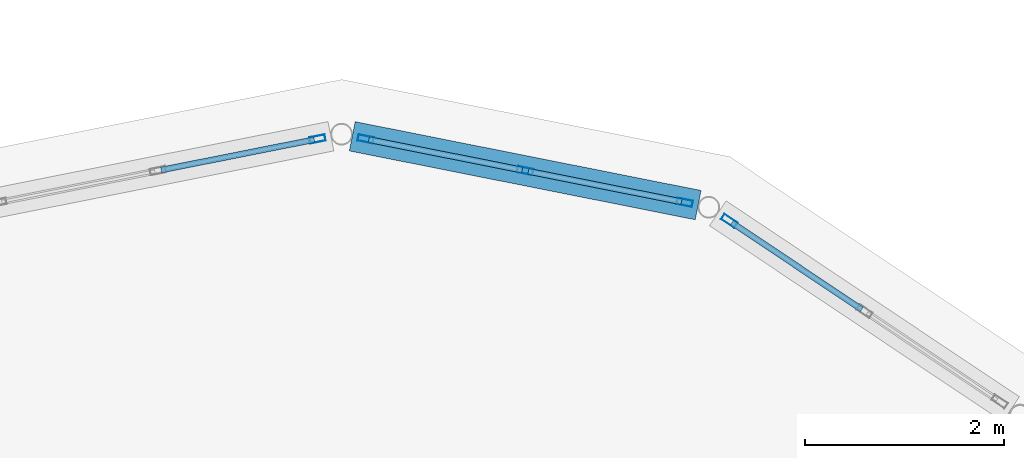
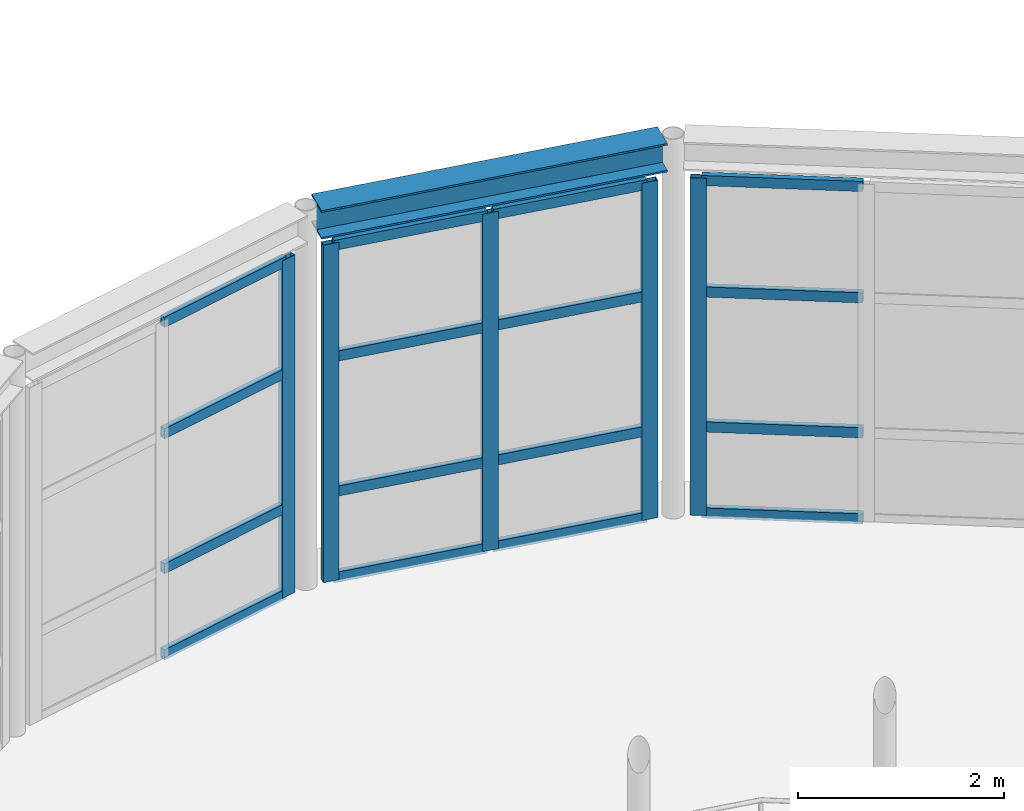
# One storey, part 29 of 80: 21 members, 1 beam, 3 elements without a shape of their own.
"""IFC4 building model written with IfcOpenShell, lengths in metres."""

import ifcopenshell
import ifcopenshell.guid

model = None  # the IFC model being written
_history = None  # IfcOwnerHistory: only IFC2X3 demands one
_inside = {}  # id of a spatial element -> (the spatial element, [elements in it])
_under = {}  # id of a project, library or spatial element -> (it, [spatial elements below it])
_declared = {}  # id of a project -> (the project, [libraries it declares])
_typed = {}  # id of a type object -> (the type object, [elements of that type])
_made_of = {}  # id of a material, layer set ... -> (it, [elements and type objects made of it])


def new_model(schema):
    """Start an empty IFC model of exactly this schema.

    Asked for "IFC4X3", IfcOpenShell would pick the latest addendum, in which some entities
    have other attributes; the version numbers below select the first issue.
    IFC2X3 requires an IfcOwnerHistory on every rooted entity: one is made here for all.
    """
    global model, _history
    if schema == "IFC4X3":
        model = ifcopenshell.file(schema_version=(4, 3, 0, 0))
    else:
        model = ifcopenshell.file(schema=schema)
    _inside.clear()
    _under.clear()
    _declared.clear()
    _typed.clear()
    _made_of.clear()
    _history = None
    if model.schema == "IFC2X3":
        org = make("IfcOrganization", Name="unknown")
        user = make(
            "IfcPersonAndOrganization",
            ThePerson=make("IfcPerson", FamilyName="unknown"),
            TheOrganization=org,
        )
        app = make(
            "IfcApplication",
            ApplicationDeveloper=org,
            Version="unknown",
            ApplicationFullName="unknown",
            ApplicationIdentifier="unknown",
        )
        _history = make(
            "IfcOwnerHistory",
            OwningUser=user,
            OwningApplication=app,
            ChangeAction="ADDED",
            CreationDate=0,
        )
    return model


def make(cls, **values):
    """One entity of the class cls with the attributes given. An attribute that is None is left unset."""
    return model.create_entity(
        cls, **{name: value for name, value in values.items() if value is not None}
    )


def rooted(cls, **values):
    """An entity with a GlobalId (a new one), such as an element, a storey or a relation."""
    return make(cls, GlobalId=ifcopenshell.guid.new(), OwnerHistory=_history, **values)


def si_unit(unit_type, name, prefix=None):
    """IfcSIUnit, for example si_unit("LENGTHUNIT", "METRE", prefix="MILLI")."""
    return make("IfcSIUnit", UnitType=unit_type, Prefix=prefix, Name=name)


def assignment(units):
    """IfcUnitAssignment: the units of a project."""
    return None if units is None else make("IfcUnitAssignment", Units=units)


def point(xyz):
    """IfcCartesianPoint."""
    return None if xyz is None else make("IfcCartesianPoint", Coordinates=xyz)


def direction(xyz):
    """IfcDirection."""
    return None if xyz is None else make("IfcDirection", DirectionRatios=xyz)


def frame(location, z_axis=None, x_axis=None):
    """IfcAxis2Placement3D, a coordinate frame: its origin and axes. An axis left out is left unset."""
    return make(
        "IfcAxis2Placement3D",
        Location=point(location),
        Axis=direction(z_axis),
        RefDirection=direction(x_axis),
    )


def frame_2d(location, x_axis=None):
    """IfcAxis2Placement2D, a coordinate frame in the plane: its origin and x axis."""
    return make(
        "IfcAxis2Placement2D", Location=point(location), RefDirection=direction(x_axis)
    )


def origin():
    """The frame at (0, 0, 0) with its axes left unset."""
    return frame((0.0, 0.0, 0.0))


def origin_2d():
    """The frame at (0, 0) in the plane with its x axis left unset."""
    return frame_2d((0.0, 0.0))


def place(relative_to, where):
    """IfcLocalPlacement: puts the frame where relative to a parent placement (None: the world)."""
    return make(
        "IfcLocalPlacement", PlacementRelTo=relative_to, RelativePlacement=where
    )


def context(
    kind, dimensions, precision=None, world=None, true_north=None, identifier=None
):
    """IfcGeometricRepresentationContext, for example the 3D "Model" context."""
    return make(
        "IfcGeometricRepresentationContext",
        ContextIdentifier=identifier,
        ContextType=kind,
        CoordinateSpaceDimension=dimensions,
        Precision=precision,
        WorldCoordinateSystem=world,
        TrueNorth=true_north,
    )


def subcontext(parent, identifier, kind, view, scale=None):
    """IfcGeometricRepresentationSubContext, for example "Body" below "Model"."""
    return make(
        "IfcGeometricRepresentationSubContext",
        ContextIdentifier=identifier,
        ContextType=kind,
        ParentContext=parent,
        TargetScale=scale,
        TargetView=view,
    )


def project(units=None, contexts=None):
    """IfcProject with its units and contexts."""
    return rooted(
        "IfcProject",
        Name="project",
        RepresentationContexts=contexts,
        UnitsInContext=assignment(units),
    )


def spatial(cls, under=None, at=None, **own):
    """A site, building, storey or space (cls), placed at a placement, below another one or the project."""
    s = rooted(cls, ObjectPlacement=at, **own)
    if under is not None:
        _under.setdefault(under.id(), (under, []))[1].append(s)
    return s


def profile(cls, at=None, kind="AREA", **sizes):
    """A parametric profile (cls). Its sizes go by their IFC names, for example OverallWidth=200.0."""
    return make(cls, ProfileType=kind, Position=at, **sizes)


def hollow_rectangle(**sizes):
    """IfcRectangleHollowProfileDef."""
    return profile("IfcRectangleHollowProfileDef", **sizes)


def i_section(**sizes):
    """IfcIShapeProfileDef."""
    return profile("IfcIShapeProfileDef", **sizes)


def extrude(swept, where, along, depth):
    """IfcExtrudedAreaSolid: the profile swept, set in the frame where, extruded along a direction by depth."""
    return make(
        "IfcExtrudedAreaSolid",
        SweptArea=swept,
        Position=where,
        ExtrudedDirection=direction(along),
        Depth=depth,
    )


def shape(context_of_items, identifier, shape_type, items):
    """IfcShapeRepresentation: the items that make up one representation, for example the "Body"."""
    return make(
        "IfcShapeRepresentation",
        ContextOfItems=context_of_items,
        RepresentationIdentifier=identifier,
        RepresentationType=shape_type,
        Items=items,
    )


def material(Name=None, Category=None):
    """IfcMaterial."""
    return make("IfcMaterial", Name=Name, Category=Category)


def layer(
    of_material, thickness, ventilated=None, Name=None, Category=None, Priority=None
):
    """IfcMaterialLayer: one layer of a wall or slab, of a material (None: an air gap)."""
    return make(
        "IfcMaterialLayer",
        Material=of_material,
        LayerThickness=thickness,
        IsVentilated=ventilated,
        Name=Name,
        Category=Category,
        Priority=Priority,
    )


def layer_set(layers, Name=None):
    """IfcMaterialLayerSet."""
    return make("IfcMaterialLayerSet", MaterialLayers=layers, LayerSetName=Name)


def material_profile(
    of_material, cross_section, Name=None, Category=None, Priority=None
):
    """IfcMaterialProfile: a cross section and its material."""
    return make(
        "IfcMaterialProfile",
        Name=Name,
        Material=of_material,
        Profile=cross_section,
        Priority=Priority,
        Category=Category,
    )


def profile_set(profiles, Name=None, composite=None):
    """IfcMaterialProfileSet."""
    return make(
        "IfcMaterialProfileSet",
        Name=Name,
        MaterialProfiles=profiles,
        CompositeProfile=composite,
    )


def made_of(thing, what):
    """Note that an element or type object is made of a material, layer set ...; save() writes the relation."""
    if what is not None:
        _made_of.setdefault(what.id(), (what, []))[1].append(thing)
    return thing


def type_object(cls, material=None, **own):
    """A type object (cls), such as IfcWallType, which elements share."""
    return made_of(rooted(cls, **own), material)


def element(
    cls,
    number,
    at=None,
    inside=None,
    cuts=None,
    type_object=None,
    material=None,
    context=None,
    identifier="Body",
    shape_type=None,
    held_by="IfcProductDefinitionShape",
    body=None,
    shapes=None,
    **own,
):
    """One element of the class cls, such as IfcWall. Its Tag is "e" and its number.

    at: its placement. inside: the storey or other place that contains it. cuts: it is an
    opening in that element (IfcRelVoidsElement). A single representation is given by context,
    identifier, shape_type and body (its items); several are given by shapes. held_by: the class
    of the entity that holds the representations. save() writes the other relations.
    """
    e = rooted(cls, Tag="e%d" % number, ObjectPlacement=at, **own)
    if body is not None:
        shapes = [shape(context, identifier, shape_type, body)]
    if shapes is not None:
        e.Representation = make(held_by, Representations=shapes)
    if inside is not None:
        _inside.setdefault(inside.id(), (inside, []))[1].append(e)
    if cuts is not None:
        rooted(
            "IfcRelVoidsElement", RelatingBuildingElement=cuts, RelatedOpeningElement=e
        )
    if type_object is not None:
        _typed.setdefault(type_object.id(), (type_object, []))[1].append(e)
    return made_of(e, material)


def aggregate(whole, parts):
    """IfcRelAggregates: a whole, such as a stair, and the parts it consists of."""
    return rooted("IfcRelAggregates", RelatingObject=whole, RelatedObjects=parts)


def save(model, path):
    """Write the relations noted so far, then the file.

    IfcRelAggregates (storeys below a building ...), IfcRelContainedInSpatialStructure (elements
    in a storey), IfcRelDefinesByType, IfcRelAssociatesMaterial and IfcRelDeclares: one each for
    every whole, place, type object, material and project.
    """
    for whole, parts in _under.values():
        aggregate(whole, parts)
    for where, things in _inside.values():
        rooted(
            "IfcRelContainedInSpatialStructure",
            RelatedElements=things,
            RelatingStructure=where,
        )
    for kind, things in _typed.values():
        rooted("IfcRelDefinesByType", RelatedObjects=things, RelatingType=kind)
    for what, things in _made_of.values():
        rooted("IfcRelAssociatesMaterial", RelatedObjects=things, RelatingMaterial=what)
    for by, libraries in _declared.values():
        rooted("IfcRelDeclares", RelatingContext=by, RelatedDefinitions=libraries)
    model.write(path)


model = new_model("IFC4")

# Units and contexts
model_context = context("Model", 3, precision=1e-05, world=origin(), true_north=direction((0.0, 1.0)))
body_context = subcontext(model_context, "Body", "Model", "MODEL_VIEW")
ifc_project = project(units=[si_unit("LENGTHUNIT", "METRE"), si_unit("AREAUNIT", "SQUARE_METRE"), si_unit("VOLUMEUNIT", "CUBIC_METRE"), si_unit("PLANEANGLEUNIT", "RADIAN"), si_unit("MASSUNIT", "GRAM", prefix="KILO")], contexts=[model_context])

# Site, building, storey
site_placement = place(None, origin())
site = spatial("IfcSite", under=ifc_project, at=site_placement, CompositionType="ELEMENT")
building_placement = place(site_placement, origin())
building = spatial("IfcBuilding", under=site, at=building_placement, Name="Kharisveld Research Institute", CompositionType="ELEMENT")
storey_placement = place(building_placement, frame((0.0, 0.0, 5.10009765625)))
storey = spatial("IfcBuildingStorey", under=building, at=storey_placement, Name="L01", CompositionType="ELEMENT", Elevation=5.10009765625)

# Beam
ifc_material_1 = material(Name="Steel S355JR", Category="steel")
ifc_material_profile_1 = material_profile(ifc_material_1, i_section(OverallWidth=0.300048828125, OverallDepth=0.340087890625, WebThickness=0.011962890625, FlangeThickness=0.021484375, at=origin_2d()))
ifc_profile_set_1 = profile_set([ifc_material_profile_1], Name="Steel S355JR")
beam_type = type_object("IfcBeamType", Name="BM_ST_HEA300", PredefinedType="BEAM", material=ifc_profile_set_1)
beam_placement = place(storey_placement, frame((63.08544921875, 59.73681640625, 4.329833984375), z_axis=(-0.980781401852, 0.195109819798, 0.0), x_axis=(-0.195109819798, -0.980781401852, 0.0)))
element("IfcBeam", 1, at=beam_placement, inside=storey, type_object=beam_type, Name="BM:V6:L01:RING03", PredefinedType="BEAM", context=body_context, shape_type="SweptSolid", body=[
    extrude(i_section(OverallWidth=0.300048828125, OverallDepth=0.340087890625, WebThickness=0.011962890625, FlangeThickness=0.021484375, at=origin_2d()), origin(), (0.0, 0.0, 1.0), 3.546142578125),
])

# Curtain wall, member
ifc_material_2 = material(Name="Thermally Broken Aluminium Curtain Wall", Category="aluminium")
ifc_layer_1 = layer(ifc_material_2, 0.159912109375)
ifc_layer_set_1 = layer_set([ifc_layer_1], Name="CW_SYS_03")
curtain_wall_type_1 = type_object("IfcCurtainWallType", Name="CW_SYS_03", PredefinedType="NOTDEFINED", material=ifc_layer_set_1)
curtain_wall_1_placement = place(storey_placement, origin())
curtain_wall_1 = element("IfcCurtainWall", 2, at=curtain_wall_1_placement, inside=storey, type_object=curtain_wall_type_1, Name="CW:V6:L01:CHORD02", PredefinedType="NOTDEFINED")
ifc_material_3 = material(Name="Anodised Aluminium AW-6063-T6", Category="aluminium")
ifc_material_profile_2 = material_profile(ifc_material_3, hollow_rectangle(XDim=0.06494140625, YDim=0.159912109375, WallThickness=0.00390625, at=origin_2d()))
ifc_profile_set_2 = profile_set([ifc_material_profile_2], Name="Anodised Aluminium AW-6063-T6")
member_type_1 = type_object("IfcMemberType", Name="CW_MUL_160", PredefinedType="MULLION", material=ifc_profile_set_2)
member_1_placement = place(storey_placement, frame((63.398681640625, 59.577880859375, 0.0), z_axis=(0.0, 0.0, 1.0), x_axis=(0.555570109828, 0.831469694616, 0.0)))
member_1 = element("IfcMember", 3, at=member_1_placement, type_object=member_type_1, Name="CW-03 mullion 1", PredefinedType="MULLION", context=body_context, shape_type="SweptSolid", body=[
    extrude(hollow_rectangle(XDim=0.06494140625, YDim=0.159912109375, WallThickness=0.00390625, at=origin_2d()), origin(), (0.0, 0.0, 1.0), 4.0),
])

# Curtain wall, members
ifc_material_4 = material(Name="Thermally Broken Aluminium Curtain Wall", Category="aluminium")
ifc_layer_2 = layer(ifc_material_4, 0.159912109375)
ifc_layer_set_2 = layer_set([ifc_layer_2], Name="CW_SYS_04")
curtain_wall_type_2 = type_object("IfcCurtainWallType", Name="CW_SYS_04", PredefinedType="NOTDEFINED", material=ifc_layer_set_2)
curtain_wall_2_placement = place(storey_placement, origin())
curtain_wall_2 = element("IfcCurtainWall", 4, at=curtain_wall_2_placement, inside=storey, type_object=curtain_wall_type_2, Name="CW:V6:L01:CHORD03", PredefinedType="NOTDEFINED")
member_2_placement = place(storey_placement, frame((59.74267578125, 60.401611328125, 0.0), z_axis=(0.0, 0.0, 1.0), x_axis=(0.195090730724, 0.980785199106, 0.0)))
member_2 = element("IfcMember", 5, at=member_2_placement, type_object=member_type_1, Name="CW-04 mullion 1", PredefinedType="MULLION", context=body_context, shape_type="SweptSolid", body=[
    extrude(hollow_rectangle(XDim=0.06494140625, YDim=0.159912109375, WallThickness=0.00390625, at=origin_2d()), origin(), (0.0, 0.0, 1.0), 4.0),
])
member_3_placement = place(storey_placement, frame((61.346435546875, 60.082763671875, 0.0), z_axis=(0.0, 0.0, 1.0), x_axis=(0.195090730724, 0.980785199106, 0.0)))
member_3 = element("IfcMember", 6, at=member_3_placement, type_object=member_type_1, Name="CW-04 mullion 2", PredefinedType="MULLION", context=body_context, shape_type="SweptSolid", body=[
    extrude(hollow_rectangle(XDim=0.06494140625, YDim=0.159912109375, WallThickness=0.00390625, at=origin_2d()), origin(), (0.0, 0.0, 1.0), 4.0),
])
member_4_placement = place(storey_placement, frame((62.9501953125, 59.763671875, 0.0), z_axis=(0.0, 0.0, 1.0), x_axis=(0.195090730724, 0.980785199106, 0.0)))
member_4 = element("IfcMember", 7, at=member_4_placement, type_object=member_type_1, Name="CW-04 mullion 3", PredefinedType="MULLION", context=body_context, shape_type="SweptSolid", body=[
    extrude(hollow_rectangle(XDim=0.06494140625, YDim=0.159912109375, WallThickness=0.00390625, at=origin_2d()), origin(), (0.0, 0.0, 1.0), 4.0),
])

# Curtain wall, member
ifc_material_5 = material(Name="Thermally Broken Aluminium Curtain Wall", Category="aluminium")
ifc_layer_3 = layer(ifc_material_5, 0.159912109375)
ifc_layer_set_3 = layer_set([ifc_layer_3], Name="CW_SYS_05")
curtain_wall_type_3 = type_object("IfcCurtainWallType", Name="CW_SYS_05", PredefinedType="NOTDEFINED", material=ifc_layer_set_3)
curtain_wall_3_placement = place(storey_placement, origin())
curtain_wall_3 = element("IfcCurtainWall", 8, at=curtain_wall_3_placement, inside=storey, type_object=curtain_wall_type_3, Name="CW:V6:L01:CHORD04", PredefinedType="NOTDEFINED")
member_5_placement = place(storey_placement, frame((59.25732421875, 60.401611328125, 0.0), z_axis=(0.0, 0.0, 1.0), x_axis=(-0.195090730724, 0.980785199106, 0.0)))
member_5 = element("IfcMember", 9, at=member_5_placement, type_object=member_type_1, Name="CW-05 mullion 3", PredefinedType="MULLION", context=body_context, shape_type="SweptSolid", body=[
    extrude(hollow_rectangle(XDim=0.06494140625, YDim=0.159912109375, WallThickness=0.00390625, at=origin_2d()), origin(), (0.0, 0.0, 1.0), 4.0),
])

# Member
ifc_material_6 = material(Name="Anodised Aluminium AW-6063-T6", Category="aluminium")
ifc_material_profile_3 = material_profile(ifc_material_6, hollow_rectangle(XDim=0.06005859375, YDim=0.1201171875, WallThickness=0.00390625, at=origin_2d()))
ifc_profile_set_3 = profile_set([ifc_material_profile_3], Name="Anodised Aluminium AW-6063-T6")
member_type_2 = type_object("IfcMemberType", Name="CW_TRN_120", PredefinedType="USERDEFINED", material=ifc_profile_set_3)
member_6_placement = place(storey_placement, frame((63.42578125, 59.559814453125, 0.02978515625), z_axis=(0.831451738652, -0.555596981897, 0.0), x_axis=(0.555596981897, 0.831451738652, 0.0)))
member_6 = element("IfcMember", 10, at=member_6_placement, type_object=member_type_2, Name="CW-03 transom 1.1", ObjectType="TRANSOM", PredefinedType="USERDEFINED", context=body_context, shape_type="SweptSolid", body=[
    extrude(hollow_rectangle(XDim=0.06005859375, YDim=0.1201171875, WallThickness=0.00390625, at=origin_2d()), origin(), (0.0, 0.0, 1.0), 1.570068359375),
])

member_7_placement = place(storey_placement, frame((63.42578125, 59.559814453125, 1.0498046875), z_axis=(0.831451738652, -0.555596981897, 0.0), x_axis=(0.555596981897, 0.831451738652, 0.0)))
member_7 = element("IfcMember", 11, at=member_7_placement, type_object=member_type_2, Name="CW-03 transom 1.2", ObjectType="TRANSOM", PredefinedType="USERDEFINED", context=body_context, shape_type="SweptSolid", body=[
    extrude(hollow_rectangle(XDim=0.06005859375, YDim=0.1201171875, WallThickness=0.00390625, at=origin_2d()), origin(), (0.0, 0.0, 1.0), 1.570068359375),
])

member_8_placement = place(storey_placement, frame((63.42578125, 59.559814453125, 2.64990234375), z_axis=(0.831451738652, -0.555596981897, 0.0), x_axis=(0.555596981897, 0.831451738652, 0.0)))
member_8 = element("IfcMember", 12, at=member_8_placement, type_object=member_type_2, Name="CW-03 transom 1.3", ObjectType="TRANSOM", PredefinedType="USERDEFINED", context=body_context, shape_type="SweptSolid", body=[
    extrude(hollow_rectangle(XDim=0.06005859375, YDim=0.1201171875, WallThickness=0.00390625, at=origin_2d()), origin(), (0.0, 0.0, 1.0), 1.570068359375),
])

member_9_placement = place(storey_placement, frame((63.42578125, 59.559814453125, 3.969970703125), z_axis=(0.831451738652, -0.555596981897, 0.0), x_axis=(0.555596981897, 0.831451738652, 0.0)))
member_9 = element("IfcMember", 13, at=member_9_placement, type_object=member_type_2, Name="CW-03 transom 1.4", ObjectType="TRANSOM", PredefinedType="USERDEFINED", context=body_context, shape_type="SweptSolid", body=[
    extrude(hollow_rectangle(XDim=0.06005859375, YDim=0.1201171875, WallThickness=0.00390625, at=origin_2d()), origin(), (0.0, 0.0, 1.0), 1.570068359375),
])

aggregate(curtain_wall_1, [member_1, member_6, member_7, member_8, member_9])

member_10_placement = place(storey_placement, frame((59.774658203125, 60.395263671875, 0.02978515625), z_axis=(0.980801354025, -0.195009497058, 0.0), x_axis=(0.195009497058, 0.980801354025, 0.0)))
member_10 = element("IfcMember", 14, at=member_10_placement, type_object=member_type_2, Name="CW-04 transom 1.1", ObjectType="TRANSOM", PredefinedType="USERDEFINED", context=body_context, shape_type="SweptSolid", body=[
    extrude(hollow_rectangle(XDim=0.06005859375, YDim=0.1201171875, WallThickness=0.00390625, at=origin_2d()), origin(), (0.0, 0.0, 1.0), 1.56982421875),
])

member_11_placement = place(storey_placement, frame((59.774658203125, 60.395263671875, 1.0498046875), z_axis=(0.980801354025, -0.195009497058, 0.0), x_axis=(0.195009497058, 0.980801354025, 0.0)))
member_11 = element("IfcMember", 15, at=member_11_placement, type_object=member_type_2, Name="CW-04 transom 1.2", ObjectType="TRANSOM", PredefinedType="USERDEFINED", context=body_context, shape_type="SweptSolid", body=[
    extrude(hollow_rectangle(XDim=0.06005859375, YDim=0.1201171875, WallThickness=0.00390625, at=origin_2d()), origin(), (0.0, 0.0, 1.0), 1.56982421875),
])

member_12_placement = place(storey_placement, frame((59.774658203125, 60.395263671875, 2.64990234375), z_axis=(0.980801354025, -0.195009497058, 0.0), x_axis=(0.195009497058, 0.980801354025, 0.0)))
member_12 = element("IfcMember", 16, at=member_12_placement, type_object=member_type_2, Name="CW-04 transom 1.3", ObjectType="TRANSOM", PredefinedType="USERDEFINED", context=body_context, shape_type="SweptSolid", body=[
    extrude(hollow_rectangle(XDim=0.06005859375, YDim=0.1201171875, WallThickness=0.00390625, at=origin_2d()), origin(), (0.0, 0.0, 1.0), 1.56982421875),
])

member_13_placement = place(storey_placement, frame((59.774658203125, 60.395263671875, 3.969970703125), z_axis=(0.980801354025, -0.195009497058, 0.0), x_axis=(0.195009497058, 0.980801354025, 0.0)))
member_13 = element("IfcMember", 17, at=member_13_placement, type_object=member_type_2, Name="CW-04 transom 1.4", ObjectType="TRANSOM", PredefinedType="USERDEFINED", context=body_context, shape_type="SweptSolid", body=[
    extrude(hollow_rectangle(XDim=0.06005859375, YDim=0.1201171875, WallThickness=0.00390625, at=origin_2d()), origin(), (0.0, 0.0, 1.0), 1.56982421875),
])

member_14_placement = place(storey_placement, frame((61.37841796875, 60.076416015625, 0.02978515625), z_axis=(0.980771599816, -0.195159086375, 0.0), x_axis=(0.195159086375, 0.980771599816, 0.0)))
member_14 = element("IfcMember", 18, at=member_14_placement, type_object=member_type_2, Name="CW-04 transom 2.1", ObjectType="TRANSOM", PredefinedType="USERDEFINED", context=body_context, shape_type="SweptSolid", body=[
    extrude(hollow_rectangle(XDim=0.06005859375, YDim=0.1201171875, WallThickness=0.00390625, at=origin_2d()), origin(), (0.0, 0.0, 1.0), 1.570068359375),
])

member_15_placement = place(storey_placement, frame((61.37841796875, 60.076416015625, 1.0498046875), z_axis=(0.980771599816, -0.195159086375, 0.0), x_axis=(0.195159086375, 0.980771599816, 0.0)))
member_15 = element("IfcMember", 19, at=member_15_placement, type_object=member_type_2, Name="CW-04 transom 2.2", ObjectType="TRANSOM", PredefinedType="USERDEFINED", context=body_context, shape_type="SweptSolid", body=[
    extrude(hollow_rectangle(XDim=0.06005859375, YDim=0.1201171875, WallThickness=0.00390625, at=origin_2d()), origin(), (0.0, 0.0, 1.0), 1.570068359375),
])

member_16_placement = place(storey_placement, frame((61.37841796875, 60.076416015625, 2.64990234375), z_axis=(0.980771599816, -0.195159086375, 0.0), x_axis=(0.195159086375, 0.980771599816, 0.0)))
member_16 = element("IfcMember", 20, at=member_16_placement, type_object=member_type_2, Name="CW-04 transom 2.3", ObjectType="TRANSOM", PredefinedType="USERDEFINED", context=body_context, shape_type="SweptSolid", body=[
    extrude(hollow_rectangle(XDim=0.06005859375, YDim=0.1201171875, WallThickness=0.00390625, at=origin_2d()), origin(), (0.0, 0.0, 1.0), 1.570068359375),
])

member_17_placement = place(storey_placement, frame((61.37841796875, 60.076416015625, 3.969970703125), z_axis=(0.980771599816, -0.195159086375, 0.0), x_axis=(0.195159086375, 0.980771599816, 0.0)))
member_17 = element("IfcMember", 21, at=member_17_placement, type_object=member_type_2, Name="CW-04 transom 2.4", ObjectType="TRANSOM", PredefinedType="USERDEFINED", context=body_context, shape_type="SweptSolid", body=[
    extrude(hollow_rectangle(XDim=0.06005859375, YDim=0.1201171875, WallThickness=0.00390625, at=origin_2d()), origin(), (0.0, 0.0, 1.0), 1.570068359375),
])

aggregate(curtain_wall_2, [member_2, member_3, member_4, member_10, member_11, member_12, member_13, member_14, member_15, member_16, member_17])

member_18_placement = place(storey_placement, frame((57.685546875, 60.089111328125, 0.02978515625), z_axis=(0.980801354025, 0.195009497058, 0.0), x_axis=(-0.195009497058, 0.980801354025, 0.0)))
member_18 = element("IfcMember", 22, at=member_18_placement, type_object=member_type_2, Name="CW-05 transom 2.1", ObjectType="TRANSOM", PredefinedType="USERDEFINED", context=body_context, shape_type="SweptSolid", body=[
    extrude(hollow_rectangle(XDim=0.06005859375, YDim=0.1201171875, WallThickness=0.00390625, at=origin_2d()), origin(), (0.0, 0.0, 1.0), 1.56982421875),
])

member_19_placement = place(storey_placement, frame((57.685546875, 60.089111328125, 1.0498046875), z_axis=(0.980801354025, 0.195009497058, 0.0), x_axis=(-0.195009497058, 0.980801354025, 0.0)))
member_19 = element("IfcMember", 23, at=member_19_placement, type_object=member_type_2, Name="CW-05 transom 2.2", ObjectType="TRANSOM", PredefinedType="USERDEFINED", context=body_context, shape_type="SweptSolid", body=[
    extrude(hollow_rectangle(XDim=0.06005859375, YDim=0.1201171875, WallThickness=0.00390625, at=origin_2d()), origin(), (0.0, 0.0, 1.0), 1.56982421875),
])

member_20_placement = place(storey_placement, frame((57.685546875, 60.089111328125, 2.64990234375), z_axis=(0.980801354025, 0.195009497058, 0.0), x_axis=(-0.195009497058, 0.980801354025, 0.0)))
member_20 = element("IfcMember", 24, at=member_20_placement, type_object=member_type_2, Name="CW-05 transom 2.3", ObjectType="TRANSOM", PredefinedType="USERDEFINED", context=body_context, shape_type="SweptSolid", body=[
    extrude(hollow_rectangle(XDim=0.06005859375, YDim=0.1201171875, WallThickness=0.00390625, at=origin_2d()), origin(), (0.0, 0.0, 1.0), 1.56982421875),
])

member_21_placement = place(storey_placement, frame((57.685546875, 60.089111328125, 3.969970703125), z_axis=(0.980801354025, 0.195009497058, 0.0), x_axis=(-0.195009497058, 0.980801354025, 0.0)))
member_21 = element("IfcMember", 25, at=member_21_placement, type_object=member_type_2, Name="CW-05 transom 2.4", ObjectType="TRANSOM", PredefinedType="USERDEFINED", context=body_context, shape_type="SweptSolid", body=[
    extrude(hollow_rectangle(XDim=0.06005859375, YDim=0.1201171875, WallThickness=0.00390625, at=origin_2d()), origin(), (0.0, 0.0, 1.0), 1.56982421875),
])

aggregate(curtain_wall_3, [member_5, member_18, member_19, member_20, member_21])

save(model, "model.ifc")
